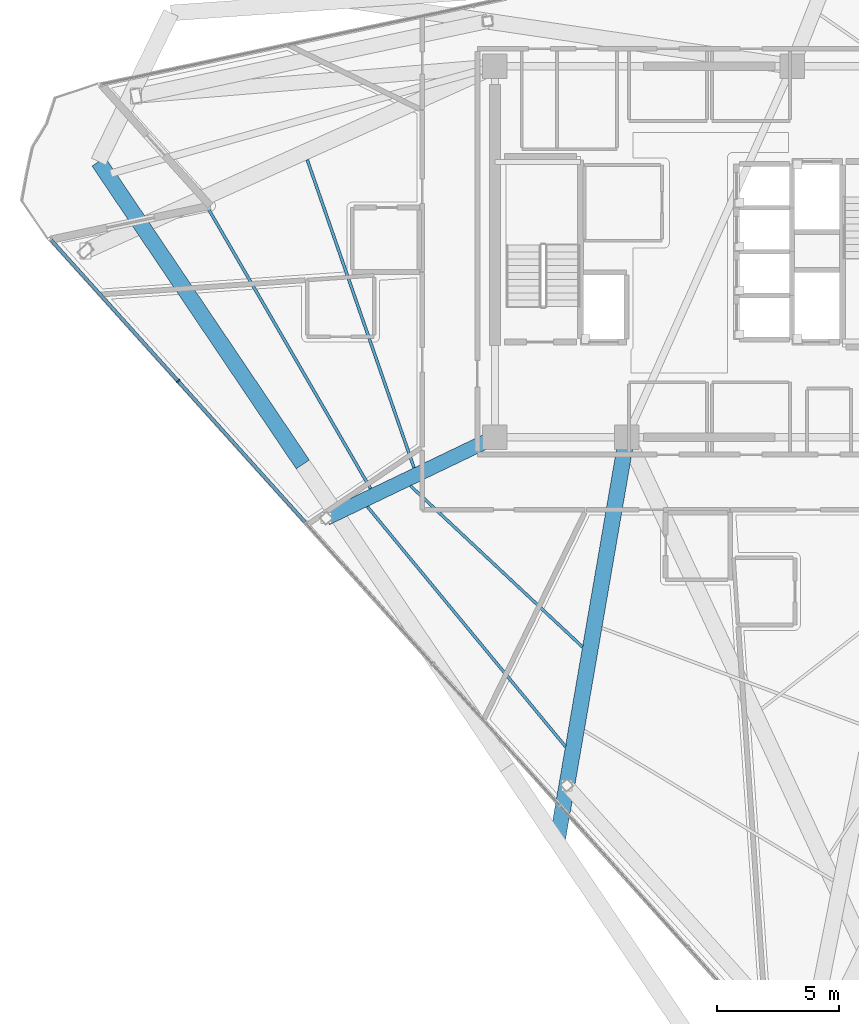
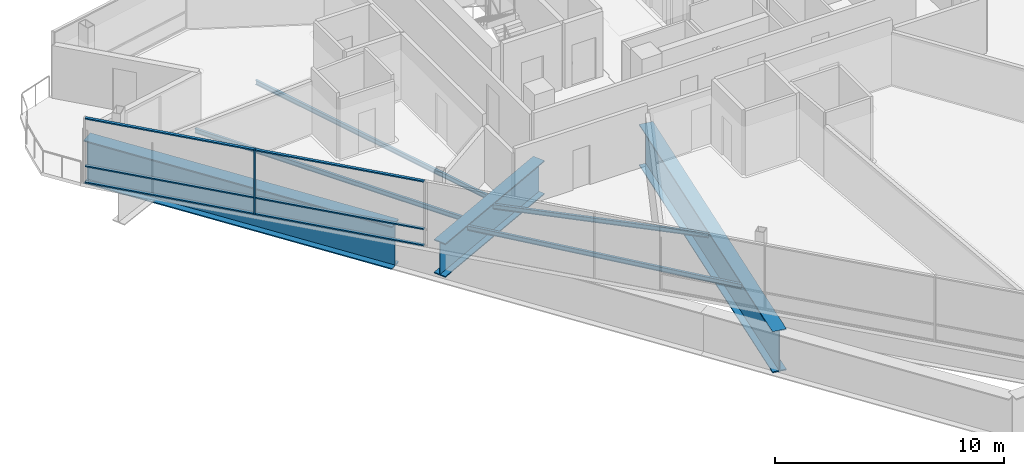
# One storey, part 3 of 18: 7 beams, 7 members, 1 element without a shape of its own.
"""IFC4 building model written with IfcOpenShell, lengths in metres."""

from ifc_helpers import new_model, si_unit, direction, frame, origin, origin_2d, place, context, subcontext, project, spatial, rectangle, i_section, extrude, material, layer, layer_set, material_profile, profile_set, type_object, element, aggregate, save


model = new_model("IFC4")

# Units and contexts
model_context = context("Model", 3, precision=1e-05, world=origin(), true_north=direction((0.0, 1.0)))
body_context = subcontext(model_context, "Body", "Model", "MODEL_VIEW")
ifc_project = project(units=[si_unit("LENGTHUNIT", "METRE"), si_unit("AREAUNIT", "SQUARE_METRE"), si_unit("VOLUMEUNIT", "CUBIC_METRE"), si_unit("PLANEANGLEUNIT", "RADIAN"), si_unit("MASSUNIT", "GRAM", prefix="KILO")], contexts=[model_context])

# Site, building, storey
site_placement = place(None, origin())
site = spatial("IfcSite", under=ifc_project, at=site_placement, CompositionType="ELEMENT")
building_placement = place(site_placement, origin())
building = spatial("IfcBuilding", under=site, at=building_placement, Name="Tharavind Bronze Gate", CompositionType="ELEMENT")
storey_placement = place(building_placement, frame((0.0, 0.0, 279.75)))
storey = spatial("IfcBuildingStorey", under=building, at=storey_placement, Name="L72", CompositionType="ELEMENT", Elevation=279.75)

# Curtain wall, members
ifc_material_1 = material(Name="Anodised Bronze Aluminium", Category="aluminium")
ifc_layer = layer(ifc_material_1, 0.219970703125)
ifc_layer_set = layer_set([ifc_layer], Name="Anodised Bronze Aluminium")
curtain_wall_type = type_object("IfcCurtainWallType", Name="UNITISED CURTAIN WALL CROWN", PredefinedType="USERDEFINED", material=ifc_layer_set)
curtain_wall_placement = place(storey_placement, origin())
curtain_wall = element("IfcCurtainWall", 1, at=curtain_wall_placement, inside=storey, type_object=curtain_wall_type, Name="L72 unitised curtain wall crown CW-L72-S1", ObjectType="UNITISED CURTAIN WALL", PredefinedType="USERDEFINED")
member_type_1 = type_object("IfcMemberType", Name="CURTAIN WALL BRONZE MULLION 65X180", PredefinedType="MULLION", material=ifc_material_1)
member_1_placement = place(storey_placement, frame((-21.88427734375, -5.30322265625, 0.0), z_axis=(0.0, 0.0, 1.0), x_axis=(0.669130606359, -0.743144825477, 0.0)))
member_1 = element("IfcMember", 2, at=member_1_placement, type_object=member_type_1, Name="CW-L72-S1 mullion 2", PredefinedType="MULLION", context=body_context, shape_type="SweptSolid", body=[
    extrude(rectangle(XDim=0.06494140625, YDim=0.179931640625, at=origin_2d()), origin(), (0.0, 0.0, 1.0), 3.465087890625),
])
member_type_2 = type_object("IfcMemberType", Name="CURTAIN WALL BRONZE TRANSOM 65X140", PredefinedType="USERDEFINED", material=ifc_material_1)
member_2_placement = place(storey_placement, frame((-24.494873046875, -2.404052734375, 0.0), z_axis=(0.0, 0.0, 1.0), x_axis=(0.669130606359, -0.743144825477, 0.0)))
member_2 = element("IfcMember", 3, at=member_2_placement, type_object=member_type_2, Name="CW-L72-S1 transom TB1", ObjectType="TRANSOM", PredefinedType="USERDEFINED", context=body_context, shape_type="SweptSolid", body=[
    extrude(rectangle(XDim=7.749755859375, YDim=0.139892578125, at=origin_2d()), origin(), (0.0, 0.0, 1.0), 0.06494140625),
])
member_3_placement = place(storey_placement, frame((-24.494873046875, -2.404052734375, 0.867431640625), z_axis=(0.0, 0.0, 1.0), x_axis=(0.669130606359, -0.743144825477, 0.0)))
member_3 = element("IfcMember", 4, at=member_3_placement, type_object=member_type_2, Name="CW-L72-S1 transom TS1", ObjectType="TRANSOM", PredefinedType="USERDEFINED", context=body_context, shape_type="SweptSolid", body=[
    extrude(rectangle(XDim=7.749755859375, YDim=0.139892578125, at=origin_2d()), origin(), (0.0, 0.0, 1.0), 0.06494140625),
])
member_4_placement = place(storey_placement, frame((-24.494873046875, -2.404052734375, 3.400146484375), z_axis=(0.0, 0.0, 1.0), x_axis=(0.669130606359, -0.743144825477, 0.0)))
member_4 = element("IfcMember", 5, at=member_4_placement, type_object=member_type_2, Name="CW-L72-S1 transom TT1", ObjectType="TRANSOM", PredefinedType="USERDEFINED", context=body_context, shape_type="SweptSolid", body=[
    extrude(rectangle(XDim=7.749755859375, YDim=0.139892578125, at=origin_2d()), origin(), (0.0, 0.0, 1.0), 0.06494140625),
])
member_5_placement = place(storey_placement, frame((-19.273681640625, -8.20263671875, 0.0), z_axis=(0.0, 0.0, 1.0), x_axis=(0.669130606359, -0.743144825477, 0.0)))
member_5 = element("IfcMember", 6, at=member_5_placement, type_object=member_type_2, Name="CW-L72-S1 transom TB2", ObjectType="TRANSOM", PredefinedType="USERDEFINED", context=body_context, shape_type="SweptSolid", body=[
    extrude(rectangle(XDim=7.749755859375, YDim=0.139892578125, at=origin_2d()), origin(), (0.0, 0.0, 1.0), 0.06494140625),
])
member_6_placement = place(storey_placement, frame((-19.273681640625, -8.20263671875, 0.867431640625), z_axis=(0.0, 0.0, 1.0), x_axis=(0.669130606359, -0.743144825477, 0.0)))
member_6 = element("IfcMember", 7, at=member_6_placement, type_object=member_type_2, Name="CW-L72-S1 transom TS2", ObjectType="TRANSOM", PredefinedType="USERDEFINED", context=body_context, shape_type="SweptSolid", body=[
    extrude(rectangle(XDim=7.749755859375, YDim=0.139892578125, at=origin_2d()), origin(), (0.0, 0.0, 1.0), 0.06494140625),
])
member_7_placement = place(storey_placement, frame((-19.273681640625, -8.20263671875, 3.400146484375), z_axis=(0.0, 0.0, 1.0), x_axis=(0.669130606359, -0.743144825477, 0.0)))
member_7 = element("IfcMember", 8, at=member_7_placement, type_object=member_type_2, Name="CW-L72-S1 transom TT2", ObjectType="TRANSOM", PredefinedType="USERDEFINED", context=body_context, shape_type="SweptSolid", body=[
    extrude(rectangle(XDim=7.749755859375, YDim=0.139892578125, at=origin_2d()), origin(), (0.0, 0.0, 1.0), 0.06494140625),
])
aggregate(curtain_wall, [member_1, member_2, member_3, member_4, member_5, member_6, member_7])

# Beams
ifc_material_2 = material(Name="Steel S355", Category="steel")
ifc_material_profile_1 = material_profile(ifc_material_2, i_section(OverallWidth=0.1201171875, OverallDepth=0.239990234375, WebThickness=0.006103515625, FlangeThickness=0.009765625, at=origin_2d()), Name="IPE240")
ifc_profile_set_1 = profile_set([ifc_material_profile_1], Name="Steel S355")
beam_type_1 = type_object("IfcBeamType", Name="SECONDARY FLOOR JOIST IPE240", PredefinedType="JOIST", material=ifc_profile_set_1)
beam_1_placement = place(storey_placement, frame((-16.593994140625, 3.768798828125, -0.31005859375), z_axis=(0.327622594852, -0.944808676581, 0.0), x_axis=(0.944808676581, 0.327622594852, 0.0)))
element("IfcBeam", 9, at=beam_1_placement, inside=storey, type_object=beam_type_1, Name="L72 secondary floor joist ipe240 BM-L72-JSTA01", PredefinedType="JOIST", context=body_context, shape_type="SweptSolid", body=[
    extrude(i_section(OverallWidth=0.1201171875, OverallDepth=0.239990234375, WebThickness=0.006103515625, FlangeThickness=0.009765625, at=origin_2d()), origin(), (0.0, 0.0, 1.0), 13.362060546875),
])
beam_2_placement = place(storey_placement, frame((-20.73095703125, 1.902587890625, -0.31005859375), z_axis=(0.501546612101, -0.8651306236, 0.0), x_axis=(0.8651306236, 0.501546612101, 0.0)))
element("IfcBeam", 10, at=beam_2_placement, inside=storey, type_object=beam_type_1, Name="L72 secondary floor joist ipe240 BM-L72-JSTB01", PredefinedType="JOIST", context=body_context, shape_type="SweptSolid", body=[
    extrude(i_section(OverallWidth=0.1201171875, OverallDepth=0.239990234375, WebThickness=0.006103515625, FlangeThickness=0.009765625, at=origin_2d()), origin(), (0.0, 0.0, 1.0), 13.42431640625),
])
beam_3_placement = place(storey_placement, frame((-12.3623046875, -9.599853515625, -0.31005859375), z_axis=(0.730028106635, -0.683417122644, 0.0), x_axis=(0.683417122644, 0.730028106635, 0.0)))
element("IfcBeam", 11, at=beam_3_placement, inside=storey, type_object=beam_type_1, Name="L72 secondary floor joist ipe240 BM-L72-JSTA02", PredefinedType="JOIST", context=body_context, shape_type="SweptSolid", body=[
    extrude(i_section(OverallWidth=0.1201171875, OverallDepth=0.239990234375, WebThickness=0.006103515625, FlangeThickness=0.009765625, at=origin_2d()), origin(), (0.0, 0.0, 1.0), 9.658447265625),
])
beam_4_placement = place(storey_placement, frame((-14.1298828125, -10.448974609375, -0.31005859375), z_axis=(0.6367027852, -0.771109306984, 0.0), x_axis=(0.771109306984, 0.6367027852, 0.0)))
element("IfcBeam", 12, at=beam_4_placement, inside=storey, type_object=beam_type_1, Name="L72 secondary floor joist ipe240 BM-L72-JSTB02", PredefinedType="JOIST", context=body_context, shape_type="SweptSolid", body=[
    extrude(i_section(OverallWidth=0.1201171875, OverallDepth=0.239990234375, WebThickness=0.006103515625, FlangeThickness=0.009765625, at=origin_2d()), origin(), (0.0, 0.0, 1.0), 12.74951171875),
])
ifc_material_3 = material(Name="Steel S460", Category="steel")
ifc_material_profile_2 = material_profile(ifc_material_3, i_section(OverallWidth=0.60009765625, OverallDepth=1.800048828125, WebThickness=0.031982421875, FlangeThickness=0.054931640625, at=origin_2d()), Name="PG1800X600")
ifc_profile_set_2 = profile_set([ifc_material_profile_2], Name="Steel S460")
beam_type_2 = type_object("IfcBeamType", Name="TRANSFER GIRDER 1800X600", PredefinedType="USERDEFINED", material=ifc_profile_set_2)
beam_5_placement = place(storey_placement, frame((-8.89990234375, -7.60009765625, -1.090087890625), z_axis=(-0.90142273265, -0.432940015547, 0.0), x_axis=(0.432940015547, -0.90142273265, 0.0)))
element("IfcBeam", 13, at=beam_5_placement, inside=storey, type_object=beam_type_2, Name="L72 transfer girder 1800x600 BM-L72-XFR02", ObjectType="TRANSFER GIRDER", PredefinedType="USERDEFINED", context=body_context, shape_type="SweptSolid", body=[
    extrude(i_section(OverallWidth=0.60009765625, OverallDepth=1.800048828125, WebThickness=0.031982421875, FlangeThickness=0.054931640625, at=origin_2d()), origin(), (0.0, 0.0, 1.0), 7.672607421875),
])
ifc_material_profile_3 = material_profile(ifc_material_3, i_section(OverallWidth=0.64990234375, OverallDepth=2.199951171875, WebThickness=0.035888671875, FlangeThickness=0.054931640625, at=origin_2d()), Name="PG2200X650")
ifc_profile_set_3 = profile_set([ifc_material_profile_3], Name="Steel S460")
beam_type_3 = type_object("IfcBeamType", Name="TRANSFER GIRDER 2200X650", PredefinedType="USERDEFINED", material=ifc_profile_set_3)
beam_6_placement = place(storey_placement, frame((-3.5, -7.60009765625, -1.2900390625), z_axis=(-0.169393638625, -0.985548474299, 0.0), x_axis=(0.985548474299, -0.169393638625, 0.0)))
element("IfcBeam", 14, at=beam_6_placement, inside=storey, type_object=beam_type_3, Name="L72 transfer girder 2200x650 BM-L72-XFR03", ObjectType="TRANSFER GIRDER", PredefinedType="USERDEFINED", context=body_context, shape_type="SweptSolid", body=[
    extrude(i_section(OverallWidth=0.64990234375, OverallDepth=2.199951171875, WebThickness=0.035888671875, FlangeThickness=0.054931640625, at=origin_2d()), origin(), (0.0, 0.0, 1.0), 16.821044921875),
])
ifc_material_profile_4 = material_profile(ifc_material_3, i_section(OverallWidth=0.64990234375, OverallDepth=2.300048828125, WebThickness=0.035888671875, FlangeThickness=0.05810546875, at=origin_2d()), Name="PG2300X650")
ifc_profile_set_4 = profile_set([ifc_material_profile_4], Name="Steel S460")
beam_type_4 = type_object("IfcBeamType", Name="TRANSFER GIRDER 2300X650", PredefinedType="USERDEFINED", material=ifc_profile_set_4)
beam_7_placement = place(storey_placement, frame((-25.14990234375, 3.694580078125, -1.340087890625), z_axis=(0.559195614283, -0.829035744083, 0.0), x_axis=(0.829035744083, 0.559195614283, 0.0)))
element("IfcBeam", 15, at=beam_7_placement, inside=storey, type_object=beam_type_4, Name="L72 transfer girder 2300x650 BM-L72-LRG01", ObjectType="TRANSFER GIRDER", PredefinedType="USERDEFINED", context=body_context, shape_type="SweptSolid", body=[
    extrude(i_section(OverallWidth=0.64990234375, OverallDepth=2.300048828125, WebThickness=0.035888671875, FlangeThickness=0.05810546875, at=origin_2d()), origin(), (0.0, 0.0, 1.0), 14.974609375),
])

save(model, "model.ifc")
